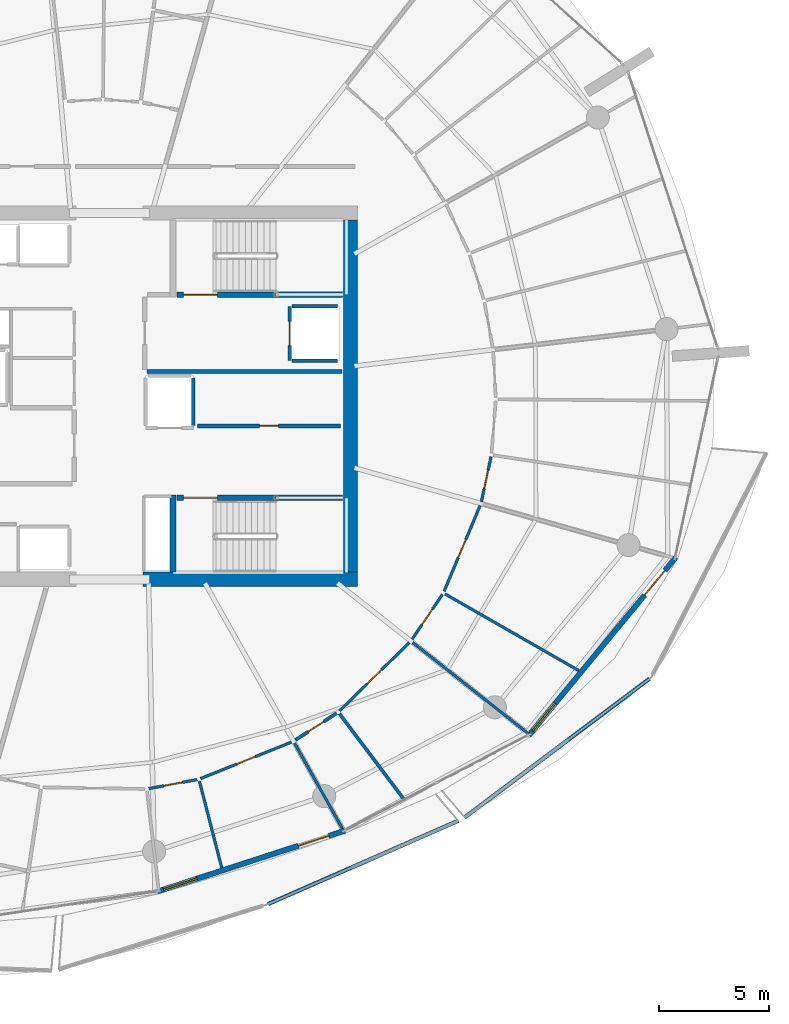
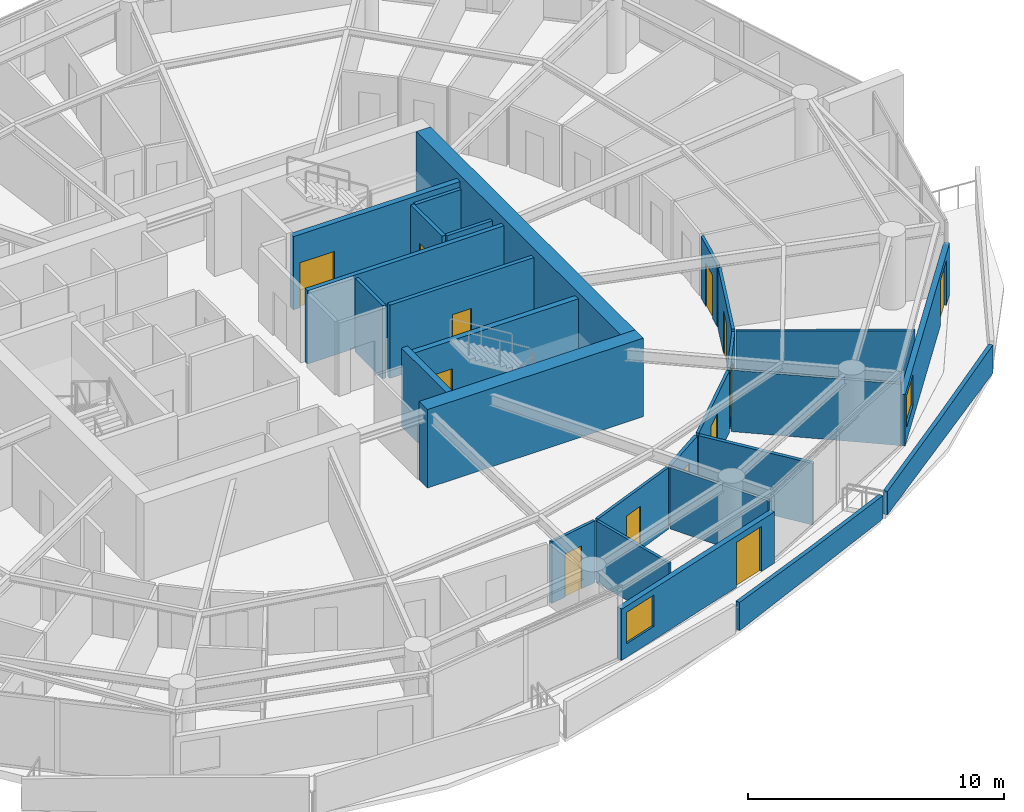
# One storey, part 13 of 21: 27 walls, 13 doors, 2 windows, 15 openings.
"""IFC4 building model written with IfcOpenShell, lengths in metres."""

from ifc_helpers import new_model, si_unit, direction, frame, frame_2d, origin, place, context, subcontext, project, spatial, polyline, rectangle, outline, extrude, material, layer, layer_set, type_object, element, fill, save


model = new_model("IFC4")

# Units and contexts
model_context = context("Model", 3, precision=1e-05, world=origin(), true_north=direction((0.0, 1.0)))
body_context = subcontext(model_context, "Body", "Model", "MODEL_VIEW")
ifc_project = project(units=[si_unit("LENGTHUNIT", "METRE"), si_unit("AREAUNIT", "SQUARE_METRE"), si_unit("VOLUMEUNIT", "CUBIC_METRE"), si_unit("PLANEANGLEUNIT", "RADIAN"), si_unit("MASSUNIT", "GRAM", prefix="KILO")], contexts=[model_context])

# Site, building, storey
site_placement = place(None, origin())
site = spatial("IfcSite", under=ifc_project, at=site_placement, CompositionType="ELEMENT")
building_placement = place(site_placement, origin())
building = spatial("IfcBuilding", under=site, at=building_placement, Name="Kazma Halo Residences", CompositionType="ELEMENT")
storey_placement = place(building_placement, frame((0.0, 0.0, 176.550048828125)))
storey = spatial("IfcBuildingStorey", under=building, at=storey_placement, Name="L44", CompositionType="ELEMENT", Elevation=176.550048828125)

# Walls
ifc_material_1 = material(Name="White Concrete C50/60 Balustrade", Category="concrete")
ifc_layer_1 = layer(ifc_material_1, 0.179931640625)
ifc_layer_set_1 = layer_set([ifc_layer_1], Name="White Concrete C50/60 Balustrade")
wall_type_1 = type_object("IfcWallType", Name="WL-BAL-WAVE-180", PredefinedType="PARAPET", material=ifc_layer_set_1)
wall_1_placement = place(storey_placement, frame((55.630126953125, 18.9033203125, 0.0), z_axis=(0.0, 0.0, 1.0), x_axis=(0.916057097562, 0.401047869968, 0.0)))
element("IfcWall", 1, at=wall_1_placement, inside=storey, type_object=wall_type_1, Name="L44 white wave balustrade wall SSE.2", PredefinedType="PARAPET", context=body_context, shape_type="SweptSolid", body=[
    extrude(outline(polyline([(0.0, 0.0), (9.44970703125, 0.0), (9.44970703125, 1.119873046875), (4.724853515625, 1.181884765625), (0.0, 1.347900390625), (0.0, 0.0)])), frame((0.0, 0.08984375, 0.0), z_axis=(0.0, -1.0, 0.0), x_axis=(1.0, 0.0, 0.0)), (0.0, 0.0, 1.0), 0.179931640625),
])
wall_2_placement = place(storey_placement, frame((64.568115234375, 22.839599609375, 0.0), z_axis=(0.0, 0.0, 1.0), x_axis=(0.799768695593, 0.600308282093, 0.0)))
element("IfcWall", 2, at=wall_2_placement, inside=storey, type_object=wall_type_1, Name="L44 white wave balustrade wall SE.1", PredefinedType="PARAPET", context=body_context, shape_type="SweptSolid", body=[
    extrude(outline(polyline([(0.0, 0.0), (10.515380859375, 0.0), (10.515380859375, 1.347900390625), (5.2578125, 1.181884765625), (0.0, 1.119873046875), (0.0, 0.0)])), frame((0.0, 0.08984375, 0.0), z_axis=(0.0, -1.0, 0.0), x_axis=(1.0, 0.0, 0.0)), (0.0, 0.0, 1.0), 0.179931640625),
])
ifc_material_2 = material(Name="Concrete C60/75", Category="concrete")
ifc_layer_2 = layer(ifc_material_2, 0.64990234375)
ifc_layer_set_2 = layer_set([ifc_layer_2], Name="Concrete C60/75")
wall_type_2 = type_object("IfcWallType", Name="WL-CORE-650", PredefinedType="SHEAR", material=ifc_layer_set_2)
wall_3_placement = place(storey_placement, frame((49.949951171875, 33.675048828125, 0.0), z_axis=(0.0, 0.0, 1.0), x_axis=(1.0, 0.0, 0.0)))
element("IfcWall", 3, at=wall_3_placement, inside=storey, type_object=wall_type_2, Name="L44 central core shear wall SE", PredefinedType="SHEAR", context=body_context, shape_type="SweptSolid", body=[
    extrude(rectangle(XDim=9.75, YDim=0.64990234375, at=frame_2d((4.875, 0.0))), origin(), (0.0, 0.0, 1.0), 3.75),
])
wall_4_placement = place(storey_placement, frame((59.375, 34.0, 0.0), z_axis=(0.0, 0.0, 1.0), x_axis=(0.0, 1.0, 0.0)))
element("IfcWall", 4, at=wall_4_placement, inside=storey, type_object=wall_type_2, Name="L44 central core shear wall E", PredefinedType="SHEAR", context=body_context, shape_type="SweptSolid", body=[
    extrude(rectangle(XDim=16.0, YDim=0.64990234375, at=frame_2d((8.0, 0.0))), origin(), (0.0, 0.0, 1.0), 3.75),
])
ifc_layer_3 = layer(ifc_material_2, 0.280029296875)
ifc_layer_set_3 = layer_set([ifc_layer_3], Name="Concrete C60/75")
wall_type_3 = type_object("IfcWallType", Name="WL-CORE-ST-280", PredefinedType="SHEAR", material=ifc_layer_set_3)
wall_5_placement = place(storey_placement, frame((51.31005859375, 34.0, 0.0), z_axis=(0.0, 0.0, 1.0), x_axis=(0.0, 1.0, 0.0)))
element("IfcWall", 5, at=wall_5_placement, inside=storey, type_object=wall_type_3, Name="L44 stairwell bearing wall ST03-W", PredefinedType="SHEAR", context=body_context, shape_type="SweptSolid", body=[
    extrude(rectangle(XDim=3.5, YDim=0.280029296875, at=frame_2d((1.75, 0.0))), origin(), (0.0, 0.0, 1.0), 3.75),
])

# Wall, openings, door, window
ifc_material_3 = material(Name="Insulated Pale-Metal Composite Wall")
ifc_layer_4 = layer(ifc_material_3, 0.239990234375)
ifc_layer_set_4 = layer_set([ifc_layer_4], Name="Insulated Pale-Metal Composite Wall")
wall_type_4 = type_object("IfcWallType", Name="WL-EXT-HOST-240", PredefinedType="SOLIDWALL", material=ifc_layer_set_4)
wall_6_placement = place(storey_placement, frame((50.61572265625, 19.481201171875, 0.0), z_axis=(0.0, 0.0, 1.0), x_axis=(0.951058543936, 0.309010753869, 0.0)))
wall_6 = element("IfcWall", 6, at=wall_6_placement, inside=storey, type_object=wall_type_4, Name="L44 exterior terrace-access wall B12", PredefinedType="SOLIDWALL", context=body_context, shape_type="SweptSolid", body=[
    extrude(rectangle(XDim=8.942138671875, YDim=0.239990234375, at=frame_2d((4.47119140625, 0.0))), origin(), (0.0, 0.0, 1.0), 2.449951171875),
])
opening_1_placement = place(wall_6_placement, frame((6.721923828125, 0.0, 0.0)))
opening_1 = element("IfcOpeningElement", 7, at=opening_1_placement, cuts=wall_6, Name="Opening DTR-1600", PredefinedType="OPENING", context=body_context, shape_type="SweptSolid", body=[
    extrude(rectangle(XDim=1.449951171875, YDim=2.14990234375, at=frame_2d((0.72509765625, 1.074951171875))), frame((0.0, 0.1298828125, 0.0), z_axis=(0.0, -1.0, 0.0), x_axis=(1.0, 0.0, 0.0)), (0.0, 0.0, 1.0), 0.260009765625),
])
opening_2_placement = place(wall_6_placement, frame((0.280029296875, 0.0, 0.64990234375)))
opening_2 = element("IfcOpeningElement", 8, at=opening_2_placement, cuts=wall_6, Name="Opening W-1800", PredefinedType="OPENING", context=body_context, shape_type="SweptSolid", body=[
    extrude(rectangle(XDim=1.60009765625, YDim=1.5, at=frame_2d((0.800048828125, 0.75))), frame((0.0, 0.1298828125, 0.0), z_axis=(0.0, -1.0, 0.0), x_axis=(1.0, 0.0, 0.0)), (0.0, 0.0, 1.0), 0.260009765625),
])
ifc_material_4 = material(Name="Aluminium AW-6063 T6 Double-Glazed Terrace Door", Category="aluminium")
door_type_1 = type_object("IfcDoorType", Name="DR-EXT-TERR-1600", OperationType="NOTDEFINED", PredefinedType="DOOR", material=ifc_material_4)
door_1_placement = place(opening_1_placement, origin())
door_1 = element("IfcDoor", 9, at=door_1_placement, inside=storey, type_object=door_type_1, Name="L44 B12 balcony terrace door", OperationType="DOUBLE_DOOR_SLIDING", OverallHeight=2.14990234375, OverallWidth=1.449951171875, PredefinedType="DOOR", context=body_context, shape_type="SweptSolid", body=[
    extrude(rectangle(XDim=1.449951171875, YDim=2.14990234375, at=frame_2d((0.72509765625, 1.074951171875))), frame((0.0, 0.02490234375, 0.0), z_axis=(0.0, -1.0, 0.0), x_axis=(1.0, 0.0, 0.0)), (0.0, 0.0, 1.0), 0.050048828125),
])
fill(opening_1, door_1)
ifc_material_5 = material(Name="Clear Triple-Silver Low-E Glass in Aluminium AW-6063 T6 Frame", Category="aluminium")
window_type = type_object("IfcWindowType", Name="WIN-RES-1800", PartitioningType="DOUBLE_PANEL_VERTICAL", PredefinedType="WINDOW", material=ifc_material_5)
window_1_placement = place(opening_2_placement, origin())
window_1 = element("IfcWindow", 10, at=window_1_placement, inside=storey, type_object=window_type, Name="L44 B12 apartment window", OverallHeight=1.5, OverallWidth=1.60009765625, PartitioningType="SINGLE_PANEL", PredefinedType="WINDOW", context=body_context, shape_type="SweptSolid", body=[
    extrude(rectangle(XDim=1.60009765625, YDim=1.5, at=frame_2d((0.800048828125, 0.75))), frame((0.0, 0.030029296875, 0.0), z_axis=(0.0, -1.0, 0.0), x_axis=(1.0, 0.0, 0.0)), (0.0, 0.0, 1.0), 0.06005859375),
])
fill(opening_2, window_1)

wall_7_placement = place(storey_placement, frame((67.485107421875, 26.57568359375, 0.0), z_axis=(0.0, 0.0, 1.0), x_axis=(0.636759394418, 0.771062561418, 0.0)))
wall_7 = element("IfcWall", 11, at=wall_7_placement, inside=storey, type_object=wall_type_4, Name="L44 exterior terrace-access wall B14", PredefinedType="SOLIDWALL", context=body_context, shape_type="SweptSolid", body=[
    extrude(rectangle(XDim=10.494384765625, YDim=0.239990234375, at=frame_2d((5.2470703125, 0.0))), origin(), (0.0, 0.0, 1.0), 2.449951171875),
])
opening_3_placement = place(wall_7_placement, frame((8.2744140625, 0.0, 0.0)))
opening_3 = element("IfcOpeningElement", 12, at=opening_3_placement, cuts=wall_7, Name="Opening DTR-1600", PredefinedType="OPENING", context=body_context, shape_type="SweptSolid", body=[
    extrude(rectangle(XDim=1.449951171875, YDim=2.14990234375, at=frame_2d((0.72509765625, 1.074951171875))), frame((0.0, 0.1298828125, 0.0), z_axis=(0.0, -1.0, 0.0), x_axis=(1.0, 0.0, 0.0)), (0.0, 0.0, 1.0), 0.260009765625),
])
opening_4_placement = place(wall_7_placement, frame((0.280029296875, 0.0, 0.64990234375)))
opening_4 = element("IfcOpeningElement", 13, at=opening_4_placement, cuts=wall_7, Name="Opening W-1800", PredefinedType="OPENING", context=body_context, shape_type="SweptSolid", body=[
    extrude(rectangle(XDim=1.60009765625, YDim=1.5, at=frame_2d((0.800048828125, 0.75))), frame((0.0, 0.1298828125, 0.0), z_axis=(0.0, -1.0, 0.0), x_axis=(1.0, 0.0, 0.0)), (0.0, 0.0, 1.0), 0.260009765625),
])
door_2_placement = place(opening_3_placement, origin())
door_2 = element("IfcDoor", 14, at=door_2_placement, inside=storey, type_object=door_type_1, Name="L44 B14 balcony terrace door", OperationType="DOUBLE_DOOR_SLIDING", OverallHeight=2.14990234375, OverallWidth=1.449951171875, PredefinedType="DOOR", context=body_context, shape_type="SweptSolid", body=[
    extrude(rectangle(XDim=1.449951171875, YDim=2.14990234375, at=frame_2d((0.72509765625, 1.074951171875))), frame((0.0, 0.02490234375, 0.0), z_axis=(0.0, -1.0, 0.0), x_axis=(1.0, 0.0, 0.0)), (0.0, 0.0, 1.0), 0.050048828125),
])
fill(opening_3, door_2)
window_2_placement = place(opening_4_placement, origin())
window_2 = element("IfcWindow", 15, at=window_2_placement, inside=storey, type_object=window_type, Name="L44 B14 apartment window", OverallHeight=1.5, OverallWidth=1.60009765625, PartitioningType="SINGLE_PANEL", PredefinedType="WINDOW", context=body_context, shape_type="SweptSolid", body=[
    extrude(rectangle(XDim=1.60009765625, YDim=1.5, at=frame_2d((0.800048828125, 0.75))), frame((0.0, 0.030029296875, 0.0), z_axis=(0.0, -1.0, 0.0), x_axis=(1.0, 0.0, 0.0)), (0.0, 0.0, 1.0), 0.06005859375),
])
fill(opening_4, window_2)

# Wall, opening, door
ifc_material_6 = material(Name="Fire-Rated Blockwork Masonry", Category="masonry")
ifc_layer_5 = layer(ifc_material_6, 0.199951171875)
ifc_layer_set_5 = layer_set([ifc_layer_5], Name="Fire-Rated Blockwork Masonry")
wall_type_5 = type_object("IfcWallType", Name="WL-FLB-200", PredefinedType="PARTITIONING", material=ifc_layer_set_5)
wall_8_placement = place(storey_placement, frame((56.6201171875, 46.080078125, 0.0), z_axis=(0.0, 0.0, 1.0), x_axis=(0.0, -1.0, 0.0)))
wall_8 = element("IfcWall", 16, at=wall_8_placement, inside=storey, type_object=wall_type_5, Name="L44 lift shaft FL-02 front wall", PredefinedType="PARTITIONING", context=body_context, shape_type="SweptSolid", body=[
    extrude(rectangle(XDim=2.4599609375, YDim=0.159912109375, at=frame_2d((1.22998046875, 0.0))), origin(), (0.0, 0.0, 1.0), 3.5),
])
opening_5_placement = place(wall_8_placement, frame((0.679931640625, 0.0, 0.0)))
opening_5 = element("IfcOpeningElement", 17, at=opening_5_placement, cuts=wall_8, Name="Opening LD-FL-02", PredefinedType="OPENING", context=body_context, shape_type="SweptSolid", body=[
    extrude(rectangle(XDim=1.10009765625, YDim=2.10009765625, at=frame_2d((0.550048828125, 1.050048828125))), frame((0.0, 0.08984375, 0.0), z_axis=(0.0, -1.0, 0.0), x_axis=(1.0, 0.0, 0.0)), (0.0, 0.0, 1.0), 0.179931640625),
])
ifc_material_7 = material(Name="Stainless Steel Fire-Rated", Category="steel")
door_type_2 = type_object("IfcDoorType", Name="DR-LIFT-SLD-1100", OperationType="DOUBLE_DOOR_SLIDING", PredefinedType="DOOR", material=ifc_material_7)
door_3_placement = place(opening_5_placement, origin())
door_3 = element("IfcDoor", 18, at=door_3_placement, inside=storey, type_object=door_type_2, Name="L44 lift FL-02 sliding landing door", OperationType="DOUBLE_DOOR_SLIDING", OverallHeight=2.10009765625, OverallWidth=1.10009765625, PredefinedType="DOOR", context=body_context, shape_type="SweptSolid", body=[
    extrude(rectangle(XDim=1.10009765625, YDim=2.10009765625, at=frame_2d((0.550048828125, 1.050048828125))), frame((0.0, 0.02490234375, 0.0), z_axis=(0.0, -1.0, 0.0), x_axis=(1.0, 0.0, 0.0)), (0.0, 0.0, 1.0), 0.050048828125),
])
fill(opening_5, door_3)

# Walls
for number, where, z_axis, x_axis, name in (
    (19, (56.719970703125, 46.080078125, 0.0), (0.0, 0.0, 1.0), (1.0, 0.0, 0.0), "L44 lift shaft FL-02 side wall N"),
    (20, (56.719970703125, 43.6201171875, 0.0), (0.0, 0.0, 1.0), (1.0, 0.0, 0.0), "L44 lift shaft FL-02 side wall S"),
):
    element("IfcWall", number, at=place(storey_placement, frame(where, z_axis=z_axis, x_axis=x_axis)), inside=storey, type_object=wall_type_5, Name=name, PredefinedType="PARTITIONING", context=body_context, shape_type="SweptSolid", body=[
        extrude(rectangle(XDim=2.06005859375, YDim=0.159912109375, at=frame_2d((1.030029296875, 0.0))), origin(), (0.0, 0.0, 1.0), 3.5),
    ])
wall_9_placement = place(storey_placement, frame((52.22998046875, 40.669921875, 0.0), z_axis=(0.0, 0.0, 1.0), x_axis=(0.0, 1.0, 0.0)))
element("IfcWall", 21, at=wall_9_placement, inside=storey, type_object=wall_type_5, Name="L44 lift shaft SV-01 side wall E", PredefinedType="PARTITIONING", context=body_context, shape_type="SweptSolid", body=[
    extrude(rectangle(XDim=2.16015625, YDim=0.159912109375, at=frame_2d((1.080078125, 0.0))), origin(), (0.0, 0.0, 1.0), 3.5),
])

# Wall, opening, door
wall_10_placement = place(storey_placement, frame((52.419921875, 40.64990234375, 0.0), z_axis=(0.0, 0.0, 1.0), x_axis=(1.0, 0.0, 0.0)))
wall_10 = element("IfcWall", 22, at=wall_10_placement, inside=storey, type_object=wall_type_5, Name="L44 core east reserve wall", PredefinedType="PARTITIONING", context=body_context, shape_type="SweptSolid", body=[
    extrude(rectangle(XDim=6.5, YDim=0.179931640625, at=frame_2d((3.25, 0.0))), origin(), (0.0, 0.0, 1.0), 3.5),
])
opening_6_placement = place(wall_10_placement, frame((2.824951171875, 0.0, 0.0)))
opening_6 = element("IfcOpeningElement", 23, at=opening_6_placement, cuts=wall_10, Name="Opening DS-850", PredefinedType="OPENING", context=body_context, shape_type="SweptSolid", body=[
    extrude(rectangle(XDim=0.85009765625, YDim=2.06005859375, at=frame_2d((0.425048828125, 1.030029296875))), frame((0.0, 0.099853515625, 0.0), z_axis=(0.0, -1.0, 0.0), x_axis=(1.0, 0.0, 0.0)), (0.0, 0.0, 1.0), 0.199951171875),
])
ifc_material_8 = material(Name="Painted Steel Access Leaf", Category="steel")
door_type_3 = type_object("IfcDoorType", Name="DR-SVC-850", OperationType="NOTDEFINED", PredefinedType="DOOR", material=ifc_material_8)
door_4_placement = place(opening_6_placement, origin())
door_4 = element("IfcDoor", 24, at=door_4_placement, inside=storey, type_object=door_type_3, Name="L44 core east reserve door", OperationType="SINGLE_SWING_LEFT", OverallHeight=2.06005859375, OverallWidth=0.85009765625, PredefinedType="DOOR", context=body_context, shape_type="SweptSolid", body=[
    extrude(rectangle(XDim=0.85009765625, YDim=2.06005859375, at=frame_2d((0.425048828125, 1.030029296875))), frame((0.0, 0.02490234375, 0.0), z_axis=(0.0, -1.0, 0.0), x_axis=(1.0, 0.0, 0.0)), (0.0, 0.0, 1.0), 0.050048828125),
])
fill(opening_6, door_4)

# Walls
wall_11_placement = place(storey_placement, frame((50.1201171875, 43.1201171875, 0.0), z_axis=(0.0, 0.0, 1.0), x_axis=(1.0, 0.0, 0.0)))
element("IfcWall", 25, at=wall_11_placement, inside=storey, type_object=wall_type_5, Name="L44 east firefighting lobby south smoke wall", PredefinedType="PARTITIONING", context=body_context, shape_type="SweptSolid", body=[
    extrude(rectangle(XDim=8.8798828125, YDim=0.199951171875, at=frame_2d((4.43994140625, 0.0))), origin(), (0.0, 0.0, 1.0), 3.5),
])
ifc_material_9 = material(Name="Gypsum Plasterboard Partition")
ifc_layer_6 = layer(ifc_material_9, 0.125)
ifc_layer_set_6 = layer_set([ifc_layer_6], Name="Gypsum Plasterboard Partition")
wall_type_6 = type_object("IfcWallType", Name="WL-PART-125", PredefinedType="PARTITIONING", material=ifc_layer_set_6)
wall_12_placement = place(storey_placement, frame((52.509521484375, 24.494384765625, 0.0), z_axis=(0.0, 0.0, 1.0), x_axis=(0.249438502074, -0.968390641055, 0.0)))
element("IfcWall", 26, at=wall_12_placement, inside=storey, type_object=wall_type_6, Name="L44 Apartment 4 mid-bay wall 11", PredefinedType="PARTITIONING", context=body_context, shape_type="SweptSolid", body=[
    extrude(rectangle(XDim=4.065673828125, YDim=0.125, at=frame_2d((2.03271484375, 0.0))), origin(), (0.0, 0.0, 1.0), 2.93994140625),
])

# Wall, opening, door
wall_13_placement = place(storey_placement, frame((50.21240234375, 24.156005859375, 0.0), z_axis=(0.0, 0.0, 1.0), x_axis=(0.982938932549, 0.183932201855, 0.0)))
wall_13 = element("IfcWall", 27, at=wall_13_placement, inside=storey, type_object=wall_type_6, Name="L44 Apartment 4 Primary Bedroom hall wall", PredefinedType="PARTITIONING", context=body_context, shape_type="SweptSolid", body=[
    extrude(rectangle(XDim=2.23388671875, YDim=0.125, at=frame_2d((1.116943359375, 0.0))), origin(), (0.0, 0.0, 1.0), 2.93994140625),
])
opening_7_placement = place(wall_13_placement, frame((0.69189453125, 0.0, 0.0)))
opening_7 = element("IfcOpeningElement", 28, at=opening_7_placement, cuts=wall_13, Name="Opening DB-900", PredefinedType="OPENING", context=body_context, shape_type="SweptSolid", body=[
    extrude(rectangle(XDim=0.85009765625, YDim=2.06005859375, at=frame_2d((0.425048828125, 1.030029296875))), frame((0.0, 0.072509765625, 0.0), z_axis=(0.0, -1.0, 0.0), x_axis=(1.0, 0.0, 0.0)), (0.0, 0.0, 1.0), 0.14501953125),
])
ifc_material_10 = material(Name="Moisture-Sealed Timber Leaf", Category="wood")
door_type_4 = type_object("IfcDoorType", Name="DR-BTH-900", OperationType="NOTDEFINED", PredefinedType="DOOR", material=ifc_material_10)
door_5_placement = place(opening_7_placement, origin())
door_5 = element("IfcDoor", 29, at=door_5_placement, inside=storey, type_object=door_type_4, Name="L44 Apartment 4 Primary Bedroom door", OperationType="SINGLE_SWING_RIGHT", OverallHeight=2.06005859375, OverallWidth=0.85009765625, PredefinedType="DOOR", context=body_context, shape_type="SweptSolid", body=[
    extrude(rectangle(XDim=0.85009765625, YDim=2.06005859375, at=frame_2d((0.425048828125, 1.030029296875))), frame((0.0, 0.02490234375, 0.0), z_axis=(0.0, -1.0, 0.0), x_axis=(1.0, 0.0, 0.0)), (0.0, 0.0, 1.0), 0.050048828125),
])
fill(opening_7, door_5)

wall_14_placement = place(storey_placement, frame((52.561279296875, 24.611328125, 0.0), z_axis=(0.0, 0.0, 1.0), x_axis=(0.92816265329, 0.372174809784, 0.0)))
wall_14 = element("IfcWall", 30, at=wall_14_placement, inside=storey, type_object=wall_type_6, Name="L44 Apartment 4 Secondary Bedroom hall wall", PredefinedType="PARTITIONING", context=body_context, shape_type="SweptSolid", body=[
    extrude(rectangle(XDim=4.454833984375, YDim=0.125, at=frame_2d((2.2275390625, 0.0))), origin(), (0.0, 0.0, 1.0), 2.93994140625),
])
opening_8_placement = place(wall_14_placement, frame((1.77734375, 0.0, 0.0)))
opening_8 = element("IfcOpeningElement", 31, at=opening_8_placement, cuts=wall_14, Name="Opening DI-950", PredefinedType="OPENING", context=body_context, shape_type="SweptSolid", body=[
    extrude(rectangle(XDim=0.89990234375, YDim=2.080078125, at=frame_2d((0.449951171875, 1.0400390625))), frame((0.0, 0.072509765625, 0.0), z_axis=(0.0, -1.0, 0.0), x_axis=(1.0, 0.0, 0.0)), (0.0, 0.0, 1.0), 0.14501953125),
])
ifc_material_11 = material(Name="Timber Veneer Flush Leaf", Category="wood")
door_type_5 = type_object("IfcDoorType", Name="DR-INT-950", OperationType="NOTDEFINED", PredefinedType="DOOR", material=ifc_material_11)
door_6_placement = place(opening_8_placement, origin())
door_6 = element("IfcDoor", 32, at=door_6_placement, inside=storey, type_object=door_type_5, Name="L44 Apartment 4 Secondary Bedroom door", OperationType="SINGLE_SWING_LEFT", OverallHeight=2.080078125, OverallWidth=0.89990234375, PredefinedType="DOOR", context=body_context, shape_type="SweptSolid", body=[
    extrude(rectangle(XDim=0.89990234375, YDim=2.080078125, at=frame_2d((0.449951171875, 1.0400390625))), frame((0.0, 0.02490234375, 0.0), z_axis=(0.0, -1.0, 0.0), x_axis=(1.0, 0.0, 0.0)), (0.0, 0.0, 1.0), 0.050048828125),
])
fill(opening_8, door_6)

# Wall
wall_15_placement = place(storey_placement, frame((56.837646484375, 26.21923828125, 0.0), z_axis=(0.0, 0.0, 1.0), x_axis=(0.488608382443, -0.872503208365, 0.0)))
element("IfcWall", 33, at=wall_15_placement, inside=storey, type_object=wall_type_6, Name="L44 Apartment 4 radial partition 12", PredefinedType="PARTITIONING", context=body_context, shape_type="SweptSolid", body=[
    extrude(rectangle(XDim=4.448486328125, YDim=0.125, at=frame_2d((2.22412109375, 0.0))), origin(), (0.0, 0.0, 1.0), 2.93994140625),
])

# Wall, opening, door
wall_16_placement = place(storey_placement, frame((58.88671875, 27.696044921875, 0.0), z_axis=(0.0, 0.0, 1.0), x_axis=(0.714833426799, 0.699294767556, 0.0)))
wall_16 = element("IfcWall", 34, at=wall_16_placement, inside=storey, type_object=wall_type_6, Name="L44 Apartment 4 West Master Bedroom hall wall", PredefinedType="PARTITIONING", context=body_context, shape_type="SweptSolid", body=[
    extrude(rectangle(XDim=4.4306640625, YDim=0.125, at=frame_2d((2.21533203125, 0.0))), origin(), (0.0, 0.0, 1.0), 2.93994140625),
])
opening_9_placement = place(wall_16_placement, frame((1.765380859375, 0.0, 0.0)))
opening_9 = element("IfcOpeningElement", 35, at=opening_9_placement, cuts=wall_16, Name="Opening DI-950", PredefinedType="OPENING", context=body_context, shape_type="SweptSolid", body=[
    extrude(rectangle(XDim=0.89990234375, YDim=2.080078125, at=frame_2d((0.449951171875, 1.0400390625))), frame((0.0, 0.072509765625, 0.0), z_axis=(0.0, -1.0, 0.0), x_axis=(1.0, 0.0, 0.0)), (0.0, 0.0, 1.0), 0.14501953125),
])
door_7_placement = place(opening_9_placement, origin())
door_7 = element("IfcDoor", 36, at=door_7_placement, inside=storey, type_object=door_type_5, Name="L44 Apartment 4 West Master Bedroom door", OperationType="SINGLE_SWING_LEFT", OverallHeight=2.080078125, OverallWidth=0.89990234375, PredefinedType="DOOR", context=body_context, shape_type="SweptSolid", body=[
    extrude(rectangle(XDim=0.89990234375, YDim=2.080078125, at=frame_2d((0.449951171875, 1.0400390625))), frame((0.0, 0.02490234375, 0.0), z_axis=(0.0, -1.0, 0.0), x_axis=(1.0, 0.0, 0.0)), (0.0, 0.0, 1.0), 0.050048828125),
])
fill(opening_9, door_7)

# Walls
wall_17_placement = place(storey_placement, frame((62.2041015625, 30.802490234375, 0.0), z_axis=(0.0, 0.0, 1.0), x_axis=(0.785315561472, -0.619095686393, 0.0)))
element("IfcWall", 37, at=wall_17_placement, inside=storey, type_object=wall_type_6, Name="L44 Apartment 4 radial partition 13", PredefinedType="PARTITIONING", context=body_context, shape_type="SweptSolid", body=[
    extrude(rectangle(XDim=6.740234375, YDim=0.125, at=frame_2d((3.3701171875, 0.0))), origin(), (0.0, 0.0, 1.0), 2.93994140625),
])
wall_18_placement = place(storey_placement, frame((63.68115234375, 33.006591796875, 0.0), z_axis=(0.0, 0.0, 1.0), x_axis=(0.867459238173, -0.497508261347, 0.0)))
element("IfcWall", 38, at=wall_18_placement, inside=storey, type_object=wall_type_6, Name="L44 Apartment 4 mid-bay wall 13", PredefinedType="PARTITIONING", context=body_context, shape_type="SweptSolid", body=[
    extrude(rectangle(XDim=7.005126953125, YDim=0.125, at=frame_2d((3.50244140625, 0.0))), origin(), (0.0, 0.0, 1.0), 2.93994140625),
])

# Wall, opening, door
wall_19_placement = place(storey_placement, frame((62.181396484375, 30.947265625, 0.0), z_axis=(0.0, 0.0, 1.0), x_axis=(0.559798463615, 0.82862879514, 0.0)))
wall_19 = element("IfcWall", 39, at=wall_19_placement, inside=storey, type_object=wall_type_6, Name="L44 Apartment 4 North Bedroom hall wall", PredefinedType="PARTITIONING", context=body_context, shape_type="SweptSolid", body=[
    extrude(rectangle(XDim=2.459228515625, YDim=0.125, at=frame_2d((1.2294921875, 0.0))), origin(), (0.0, 0.0, 1.0), 2.93994140625),
])
opening_10_placement = place(wall_19_placement, frame((0.8046875, 0.0, 0.0)))
opening_10 = element("IfcOpeningElement", 40, at=opening_10_placement, cuts=wall_19, Name="Opening DB-900", PredefinedType="OPENING", context=body_context, shape_type="SweptSolid", body=[
    extrude(rectangle(XDim=0.85009765625, YDim=2.06005859375, at=frame_2d((0.425048828125, 1.030029296875))), frame((0.0, 0.072509765625, 0.0), z_axis=(0.0, -1.0, 0.0), x_axis=(1.0, 0.0, 0.0)), (0.0, 0.0, 1.0), 0.14501953125),
])
door_8_placement = place(opening_10_placement, origin())
door_8 = element("IfcDoor", 41, at=door_8_placement, inside=storey, type_object=door_type_4, Name="L44 Apartment 4 North Bedroom door", OperationType="SINGLE_SWING_RIGHT", OverallHeight=2.06005859375, OverallWidth=0.85009765625, PredefinedType="DOOR", context=body_context, shape_type="SweptSolid", body=[
    extrude(rectangle(XDim=0.85009765625, YDim=2.06005859375, at=frame_2d((0.425048828125, 1.030029296875))), frame((0.0, 0.02490234375, 0.0), z_axis=(0.0, -1.0, 0.0), x_axis=(1.0, 0.0, 0.0)), (0.0, 0.0, 1.0), 0.050048828125),
])
fill(opening_10, door_8)

wall_20_placement = place(storey_placement, frame((63.634033203125, 33.125244140625, 0.0), z_axis=(0.0, 0.0, 1.0), x_axis=(0.387404173838, 0.921909977217, 0.0)))
wall_20 = element("IfcWall", 42, at=wall_20_placement, inside=storey, type_object=wall_type_6, Name="L44 Apartment 4 South Master Bedroom hall wall", PredefinedType="PARTITIONING", context=body_context, shape_type="SweptSolid", body=[
    extrude(rectangle(XDim=4.23046875, YDim=0.125, at=frame_2d((2.115234375, 0.0))), origin(), (0.0, 0.0, 1.0), 2.93994140625),
])
opening_11_placement = place(wall_20_placement, frame((1.665283203125, 0.0, 0.0)))
opening_11 = element("IfcOpeningElement", 43, at=opening_11_placement, cuts=wall_20, Name="Opening DI-950", PredefinedType="OPENING", context=body_context, shape_type="SweptSolid", body=[
    extrude(rectangle(XDim=0.89990234375, YDim=2.080078125, at=frame_2d((0.449951171875, 1.0400390625))), frame((0.0, 0.072509765625, 0.0), z_axis=(0.0, -1.0, 0.0), x_axis=(1.0, 0.0, 0.0)), (0.0, 0.0, 1.0), 0.14501953125),
])
door_9_placement = place(opening_11_placement, origin())
door_9 = element("IfcDoor", 44, at=door_9_placement, inside=storey, type_object=door_type_5, Name="L44 Apartment 4 South Master Bedroom door", OperationType="SINGLE_SWING_LEFT", OverallHeight=2.080078125, OverallWidth=0.89990234375, PredefinedType="DOOR", context=body_context, shape_type="SweptSolid", body=[
    extrude(rectangle(XDim=0.89990234375, YDim=2.080078125, at=frame_2d((0.449951171875, 1.0400390625))), frame((0.0, 0.02490234375, 0.0), z_axis=(0.0, -1.0, 0.0), x_axis=(1.0, 0.0, 0.0)), (0.0, 0.0, 1.0), 0.050048828125),
])
fill(opening_11, door_9)

wall_21_placement = place(storey_placement, frame((65.32861328125, 37.19580078125, 0.0), z_axis=(0.0, 0.0, 1.0), x_axis=(0.21043464324, 0.977607928019, 0.0)))
wall_21 = element("IfcWall", 45, at=wall_21_placement, inside=storey, type_object=wall_type_6, Name="L44 Apartment 4 Inner Bedroom hall wall", PredefinedType="PARTITIONING", context=body_context, shape_type="SweptSolid", body=[
    extrude(rectangle(XDim=2.0986328125, YDim=0.125, at=frame_2d((1.04931640625, 0.0))), origin(), (0.0, 0.0, 1.0), 2.93994140625),
])
opening_12_placement = place(wall_21_placement, frame((0.62451171875, 0.0, 0.0)))
opening_12 = element("IfcOpeningElement", 46, at=opening_12_placement, cuts=wall_21, Name="Opening DB-900", PredefinedType="OPENING", context=body_context, shape_type="SweptSolid", body=[
    extrude(rectangle(XDim=0.85009765625, YDim=2.06005859375, at=frame_2d((0.425048828125, 1.030029296875))), frame((0.0, 0.072509765625, 0.0), z_axis=(0.0, -1.0, 0.0), x_axis=(1.0, 0.0, 0.0)), (0.0, 0.0, 1.0), 0.14501953125),
])
door_10_placement = place(opening_12_placement, origin())
door_10 = element("IfcDoor", 47, at=door_10_placement, inside=storey, type_object=door_type_4, Name="L44 Apartment 4 Inner Bedroom door", OperationType="SINGLE_SWING_RIGHT", OverallHeight=2.06005859375, OverallWidth=0.85009765625, PredefinedType="DOOR", context=body_context, shape_type="SweptSolid", body=[
    extrude(rectangle(XDim=0.85009765625, YDim=2.06005859375, at=frame_2d((0.425048828125, 1.030029296875))), frame((0.0, 0.02490234375, 0.0), z_axis=(0.0, -1.0, 0.0), x_axis=(1.0, 0.0, 0.0)), (0.0, 0.0, 1.0), 0.050048828125),
])
fill(opening_12, door_10)

ifc_material_12 = material(Name="Concrete C50/60", Category="concrete")
ifc_layer_7 = layer(ifc_material_12, 0.25)
ifc_layer_set_7 = layer_set([ifc_layer_7], Name="Concrete C50/60")
wall_type_7 = type_object("IfcWallType", Name="WL-SHF-250", PredefinedType="SOLIDWALL", material=ifc_layer_set_7)
wall_22_placement = place(storey_placement, frame((51.47998046875, 46.6201171875, 0.0), z_axis=(0.0, 0.0, 1.0), x_axis=(1.0, 0.0, 0.0)))
wall_22 = element("IfcWall", 48, at=wall_22_placement, inside=storey, type_object=wall_type_7, Name="L44 exit stair ST-02 enclosure wall", PredefinedType="SOLIDWALL", context=body_context, shape_type="SweptSolid", body=[
    extrude(rectangle(XDim=7.5400390625, YDim=0.25, at=frame_2d((3.77001953125, 0.0))), origin(), (0.0, 0.0, 1.0), 3.5),
])
opening_13_placement = place(wall_22_placement, frame((0.300048828125, 0.0, 0.0)))
opening_13 = element("IfcOpeningElement", 49, at=opening_13_placement, cuts=wall_22, Name="Opening D-ST2", PredefinedType="OPENING", context=body_context, shape_type="SweptSolid", body=[
    extrude(rectangle(XDim=1.550048828125, YDim=2.14990234375, at=frame_2d((0.77490234375, 1.074951171875))), frame((0.0, 0.135009765625, 0.0), z_axis=(0.0, -1.0, 0.0), x_axis=(1.0, 0.0, 0.0)), (0.0, 0.0, 1.0), 0.27001953125),
])
ifc_material_13 = material(Name="Fire-Rated Double Steel Leaf", Category="steel")
door_type_6 = type_object("IfcDoorType", Name="DR-FD90-1550", OperationType="NOTDEFINED", PredefinedType="DOOR", material=ifc_material_13)
door_11_placement = place(opening_13_placement, origin())
door_11 = element("IfcDoor", 50, at=door_11_placement, inside=storey, type_object=door_type_6, Name="L44 exit stair ST-02 fire door", OperationType="DOUBLE_DOOR_SINGLE_SWING", OverallHeight=2.14990234375, OverallWidth=1.550048828125, PredefinedType="DOOR", context=body_context, shape_type="SweptSolid", body=[
    extrude(rectangle(XDim=1.550048828125, YDim=2.14990234375, at=frame_2d((0.77490234375, 1.074951171875))), frame((0.0, 0.02490234375, 0.0), z_axis=(0.0, -1.0, 0.0), x_axis=(1.0, 0.0, 0.0)), (0.0, 0.0, 1.0), 0.050048828125),
])
fill(opening_13, door_11)

wall_23_placement = place(storey_placement, frame((51.47998046875, 37.3798828125, 0.0), z_axis=(0.0, 0.0, 1.0), x_axis=(1.0, 0.0, 0.0)))
wall_23 = element("IfcWall", 51, at=wall_23_placement, inside=storey, type_object=wall_type_7, Name="L44 exit stair ST-03 enclosure wall", PredefinedType="SOLIDWALL", context=body_context, shape_type="SweptSolid", body=[
    extrude(rectangle(XDim=7.5400390625, YDim=0.25, at=frame_2d((3.77001953125, 0.0))), origin(), (0.0, 0.0, 1.0), 3.5),
])
opening_14_placement = place(wall_23_placement, frame((0.300048828125, 0.0, 0.0)))
opening_14 = element("IfcOpeningElement", 52, at=opening_14_placement, cuts=wall_23, Name="Opening D-ST3", PredefinedType="OPENING", context=body_context, shape_type="SweptSolid", body=[
    extrude(rectangle(XDim=1.550048828125, YDim=2.14990234375, at=frame_2d((0.77490234375, 1.074951171875))), frame((0.0, 0.135009765625, 0.0), z_axis=(0.0, -1.0, 0.0), x_axis=(1.0, 0.0, 0.0)), (0.0, 0.0, 1.0), 0.27001953125),
])
door_12_placement = place(opening_14_placement, origin())
door_12 = element("IfcDoor", 53, at=door_12_placement, inside=storey, type_object=door_type_6, Name="L44 exit stair ST-03 fire door", OperationType="DOUBLE_DOOR_SINGLE_SWING", OverallHeight=2.14990234375, OverallWidth=1.550048828125, PredefinedType="DOOR", context=body_context, shape_type="SweptSolid", body=[
    extrude(rectangle(XDim=1.550048828125, YDim=2.14990234375, at=frame_2d((0.77490234375, 1.074951171875))), frame((0.0, 0.02490234375, 0.0), z_axis=(0.0, -1.0, 0.0), x_axis=(1.0, 0.0, 0.0)), (0.0, 0.0, 1.0), 0.050048828125),
])
fill(opening_14, door_12)

ifc_material_14 = material(Name="Moisture-Resistant Gypsum")
ifc_layer_8 = layer(ifc_material_14, 0.14990234375)
ifc_layer_set_8 = layer_set([ifc_layer_8], Name="Moisture-Resistant Gypsum")
wall_type_8 = type_object("IfcWallType", Name="WL-WET-150", PredefinedType="PARTITIONING", material=ifc_layer_set_8)
wall_24_placement = place(storey_placement, frame((56.87255859375, 26.361083984375, 0.0), z_axis=(0.0, 0.0, 1.0), x_axis=(0.837497725381, 0.54644081105, 0.0)))
wall_24 = element("IfcWall", 54, at=wall_24_placement, inside=storey, type_object=wall_type_8, Name="L44 Apartment 4 East En-Suite Bathroom hall wall", PredefinedType="PARTITIONING", context=body_context, shape_type="SweptSolid", body=[
    extrude(rectangle(XDim=2.238037109375, YDim=0.14990234375, at=frame_2d((1.119140625, 0.0))), origin(), (0.0, 0.0, 1.0), 2.93994140625),
])
opening_15_placement = place(wall_24_placement, frame((0.694091796875, 0.0, 0.0)))
opening_15 = element("IfcOpeningElement", 55, at=opening_15_placement, cuts=wall_24, Name="Opening DB-900", PredefinedType="OPENING", context=body_context, shape_type="SweptSolid", body=[
    extrude(rectangle(XDim=0.85009765625, YDim=2.06005859375, at=frame_2d((0.425048828125, 1.030029296875))), frame((0.0, 0.0849609375, 0.0), z_axis=(0.0, -1.0, 0.0), x_axis=(1.0, 0.0, 0.0)), (0.0, 0.0, 1.0), 0.169921875),
])
door_13_placement = place(opening_15_placement, origin())
door_13 = element("IfcDoor", 56, at=door_13_placement, inside=storey, type_object=door_type_4, Name="L44 Apartment 4 East En-Suite Bathroom door", OperationType="SINGLE_SWING_LEFT", OverallHeight=2.06005859375, OverallWidth=0.85009765625, PredefinedType="DOOR", context=body_context, shape_type="SweptSolid", body=[
    extrude(rectangle(XDim=0.85009765625, YDim=2.06005859375, at=frame_2d((0.425048828125, 1.030029296875))), frame((0.0, 0.02490234375, 0.0), z_axis=(0.0, -1.0, 0.0), x_axis=(1.0, 0.0, 0.0)), (0.0, 0.0, 1.0), 0.050048828125),
])
fill(opening_15, door_13)

# Wall
wall_25_placement = place(storey_placement, frame((58.87646484375, 27.561279296875, 0.0), z_axis=(0.0, 0.0, 1.0), x_axis=(0.601652635262, -0.798757852219, 0.0)))
element("IfcWall", 57, at=wall_25_placement, inside=storey, type_object=wall_type_8, Name="L44 Apartment 4 East En-Suite Bathroom side wall", PredefinedType="PARTITIONING", context=body_context, shape_type="SweptSolid", body=[
    extrude(rectangle(XDim=4.865234375, YDim=0.14990234375, at=frame_2d((2.4326171875, 0.0))), origin(), (0.0, 0.0, 1.0), 2.93994140625),
])

save(model, "model.ifc")
